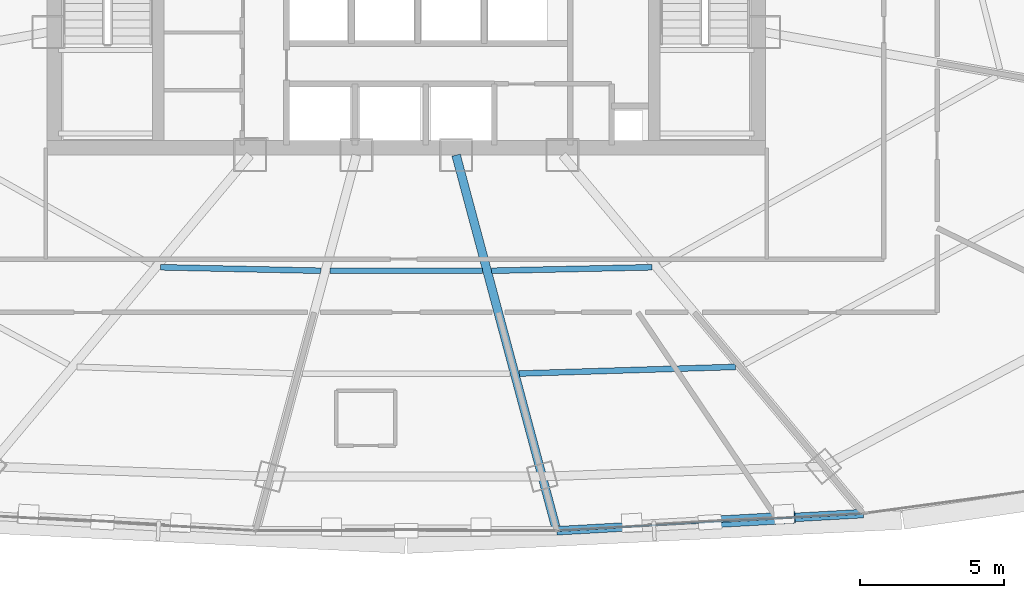
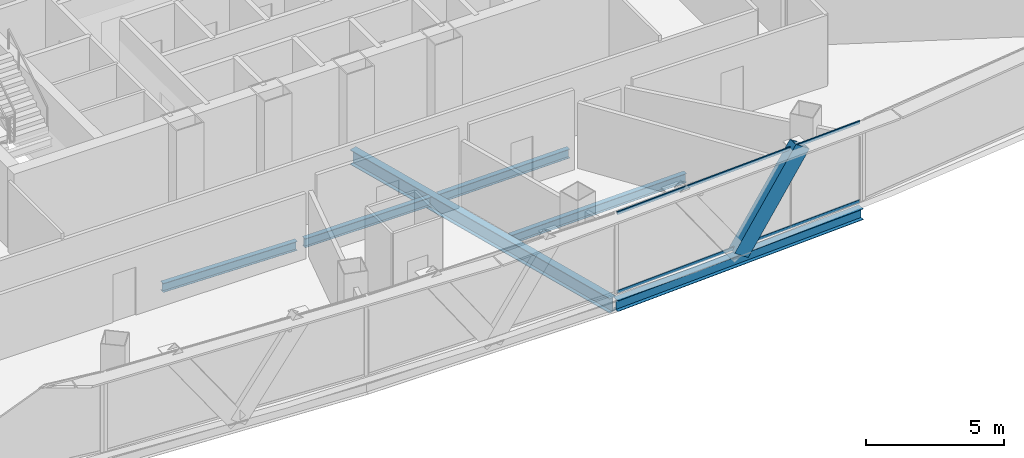
# One storey, part 13 of 37: 6 beams, 3 members, 1 element without a shape of its own.
"""IFC4 building model written with IfcOpenShell, lengths in metres."""

from ifc_helpers import new_model, si_unit, direction, frame, origin, origin_2d, place, context, subcontext, project, spatial, hollow_rectangle, i_section, extrude, source, transform, mapped, material, layer, layer_set, material_profile, profile_set, type_object, element, aggregate, save


model = new_model("IFC4")

# Units and contexts
model_context = context("Model", 3, precision=1e-05, world=origin(), true_north=direction((0.0, 1.0)))
body_context = subcontext(model_context, "Body", "Model", "MODEL_VIEW")
ifc_project = project(units=[si_unit("LENGTHUNIT", "METRE"), si_unit("AREAUNIT", "SQUARE_METRE"), si_unit("VOLUMEUNIT", "CUBIC_METRE"), si_unit("PLANEANGLEUNIT", "RADIAN"), si_unit("MASSUNIT", "GRAM", prefix="KILO"), si_unit("THERMODYNAMICTEMPERATUREUNIT", "KELVIN"), si_unit("POWERUNIT", "WATT")], contexts=[model_context])

# Site, building, storey
site_placement = place(None, origin())
site = spatial("IfcSite", under=ifc_project, at=site_placement, CompositionType="ELEMENT")
building_placement = place(site_placement, origin())
building = spatial("IfcBuilding", under=site, at=building_placement, Name="Yunzhuo Pagoda Commons", CompositionType="ELEMENT")
storey_placement = place(building_placement, frame((0.0, 0.0, 199.9599609375)))
storey = spatial("IfcBuildingStorey", under=building, at=storey_placement, Name="L50", CompositionType="ELEMENT", Elevation=199.9599609375)

# Beams
ifc_material_1 = material(Name="Structural steel Q355B", Category="steel")
ifc_material_profile_1 = material_profile(ifc_material_1, i_section(OverallWidth=0.199951171875, OverallDepth=0.39990234375, WebThickness=0.008056640625, FlangeThickness=0.012939453125, at=origin_2d()), Name="Structural steel Q355B")
ifc_profile_set_1 = profile_set([ifc_material_profile_1], Name="Structural steel Q355B")
beam_type_1 = type_object("IfcBeamType", Name="B-JS1 Joist HN 400x200x8x13", PredefinedType="JOIST", material=ifc_profile_set_1)
shared_shape_1 = source(origin(), body_context, "Body", "SweptSolid", [
    extrude(i_section(OverallWidth=0.199951171875, OverallDepth=0.39990234375, WebThickness=0.008056640625, FlangeThickness=0.012939453125, at=origin_2d()), origin(), (0.0, 0.0, 1.0), 5.550537109375),
])
for number, where, z_axis, x_axis, name in (
    (1, (39.489013671875, 23.3642578125, -0.4599609375), (0.99976582056, -0.021640333643, 0.0), (0.021640333643, 0.99976582056, 0.0), "L50 composite ring joist 1.1"),
    (2, (50.961669921875, 23.244140625, -0.4599609375), (0.99976582056, 0.021640333643, 0.0), (-0.021640333643, 0.99976582056, 0.0), "L50 composite ring joist 1.3"),
):
    element("IfcBeam", number, at=place(storey_placement, frame(where, z_axis=z_axis, x_axis=x_axis)), inside=storey, type_object=beam_type_1, Name=name, PredefinedType="JOIST", context=body_context, shape_type="MappedRepresentation", body=[
        mapped(shared_shape_1, transform((0.0, 0.0, 0.0), scale=1.0)),
    ])
shared_shape_2 = source(origin(), body_context, "Body", "SweptSolid", [
    extrude(i_section(OverallWidth=0.199951171875, OverallDepth=0.39990234375, WebThickness=0.008056640625, FlangeThickness=0.012939453125, at=origin_2d()), origin(), (0.0, 0.0, 1.0), 7.49365234375),
])
beam_1_placement = place(storey_placement, frame((51.91650390625, 19.68115234375, -0.4599609375), z_axis=(0.99952593018, 0.030788226605, 0.0), x_axis=(-0.030788226605, 0.99952593018, 0.0)))
element("IfcBeam", 3, at=beam_1_placement, inside=storey, type_object=beam_type_1, Name="L50 composite ring joist 2.3", PredefinedType="JOIST", context=body_context, shape_type="MappedRepresentation", body=[
    mapped(shared_shape_2, transform((0.0, 0.0, 0.0), scale=1.0)),
])
shared_shape_3 = source(origin(), body_context, "Body", "SweptSolid", [
    extrude(i_section(OverallWidth=0.199951171875, OverallDepth=0.39990234375, WebThickness=0.008056640625, FlangeThickness=0.012939453125, at=origin_2d()), origin(), (0.0, 0.0, 1.0), 5.287109375),
])
beam_2_placement = place(storey_placement, frame((45.3564453125, 23.24072265625, -0.4599609375), z_axis=(1.0, 0.0, 0.0), x_axis=(0.0, 1.0, 0.0)))
element("IfcBeam", 4, at=beam_2_placement, inside=storey, type_object=beam_type_1, Name="L50 composite ring joist 1.2", PredefinedType="JOIST", context=body_context, shape_type="MappedRepresentation", body=[
    mapped(shared_shape_3, transform((0.0, 0.0, 0.0), scale=1.0)),
])
ifc_material_profile_2 = material_profile(ifc_material_1, i_section(OverallWidth=0.300048828125, OverallDepth=0.64990234375, WebThickness=0.012939453125, FlangeThickness=0.02197265625, at=origin_2d()), Name="Structural steel Q355B")
ifc_profile_set_2 = profile_set([ifc_material_profile_2], Name="Structural steel Q355B")
beam_type_2 = type_object("IfcBeamType", Name="B-RG2 Beam HN 650x300x13x22", PredefinedType="BEAM", material=ifc_profile_set_2)
shared_shape_4 = source(origin(), body_context, "Body", "SweptSolid", [
    extrude(i_section(OverallWidth=0.300048828125, OverallDepth=0.64990234375, WebThickness=0.012939453125, FlangeThickness=0.02197265625, at=origin_2d()), origin(), (0.0, 0.0, 1.0), 13.320556640625),
])
beam_3_placement = place(storey_placement, frame((53.17578125, 14.38330078125, -0.5849609375), z_axis=(-0.258794106772, 0.96593250815, 0.0), x_axis=(-0.96593250815, -0.258794106772, 0.0)))
element("IfcBeam", 5, at=beam_3_placement, inside=storey, type_object=beam_type_2, Name="L50 radial floor girder F1C3", PredefinedType="BEAM", context=body_context, shape_type="MappedRepresentation", body=[
    mapped(shared_shape_4, transform((0.0, 0.0, 0.0), scale=1.0)),
])
ifc_material_profile_3 = material_profile(ifc_material_1, i_section(OverallWidth=0.300048828125, OverallDepth=0.488037109375, WebThickness=0.010986328125, FlangeThickness=0.01806640625, at=origin_2d()), Name="Structural steel Q355B")
ifc_profile_set_3 = profile_set([ifc_material_profile_3], Name="Structural steel Q355B")
beam_type_3 = type_object("IfcBeamType", Name="B-SP1 Beam HM 488x300x11x18", PredefinedType="BEAM", material=ifc_profile_set_3)
shared_shape_5 = source(origin(), body_context, "Body", "SweptSolid", [
    extrude(i_section(OverallWidth=0.300048828125, OverallDepth=0.488037109375, WebThickness=0.010986328125, FlangeThickness=0.01806640625, at=origin_2d()), origin(), (0.0, 0.0, 1.0), 10.635009765625),
])
beam_4_placement = place(storey_placement, frame((53.21630859375, 14.233642578125, -0.50390625), z_axis=(0.998431328375, 0.055990021611, 0.0), x_axis=(-0.055990021611, 0.998431328375, 0.0)))
element("IfcBeam", 6, at=beam_4_placement, inside=storey, type_object=beam_type_3, Name="L50 facade edge spandrel beam F1.3", PredefinedType="BEAM", context=body_context, shape_type="MappedRepresentation", body=[
    mapped(shared_shape_5, transform((0.0, 0.0, 0.0), scale=1.0)),
])

# Member
ifc_material_profile_4 = material_profile(ifc_material_1, hollow_rectangle(XDim=0.39990234375, YDim=0.719970703125, WallThickness=0.02392578125, at=origin_2d()), Name="Structural steel Q355B")
ifc_profile_set_4 = profile_set([ifc_material_profile_4], Name="Structural steel Q355B")
member_type_1 = type_object("IfcMemberType", Name="M-DL2 Brace BOX 720x400x24", PredefinedType="BRACE", material=ifc_profile_set_4)
shared_shape_6 = source(origin(), body_context, "Body", "SweptSolid", [
    extrude(hollow_rectangle(XDim=0.39990234375, YDim=0.719970703125, WallThickness=0.02392578125, at=origin_2d()), origin(), (0.0, 0.0, 1.0), 4.6376953125),
])
member_1_placement = place(storey_placement, frame((58.525390625, 14.53125, -0.260009765625), z_axis=(0.572371416093, 0.032111336689, 0.819365500919), x_axis=(-0.056014189589, 0.99842997279, 0.0)))
element("IfcMember", 7, at=member_1_placement, inside=storey, type_object=member_type_1, Name="L50 facade diamond brace F1.3R", PredefinedType="BRACE", context=body_context, shape_type="MappedRepresentation", body=[
    mapped(shared_shape_6, transform((0.0, 0.0, 0.0), scale=1.0)),
])

# Curtain wall, members
ifc_material_2 = material(Name="Anodized aluminium 6063-T6", Category="aluminium")
ifc_layer = layer(ifc_material_2, 0.14990234375)
ifc_layer_set = layer_set([ifc_layer], Name="Anodized aluminium 6063-T6")
curtain_wall_type = type_object("IfcCurtainWallType", Name="CW-MID Mid-Zone Ribbon Curtain Wall", PredefinedType="NOTDEFINED", material=ifc_layer_set)
curtain_wall_placement = place(storey_placement, origin())
curtain_wall = element("IfcCurtainWall", 8, at=curtain_wall_placement, inside=storey, type_object=curtain_wall_type, Name="L50 curtain wall CW-L50-F1B4", PredefinedType="NOTDEFINED")
ifc_material_profile_5 = material_profile(ifc_material_2, hollow_rectangle(XDim=0.054931640625, YDim=0.1298828125, WallThickness=0.00341796875, at=origin_2d()), Name="Anodized aluminium 6063-T6")
ifc_profile_set_5 = profile_set([ifc_material_profile_5], Name="Anodized aluminium 6063-T6")
member_type_2 = type_object("IfcMemberType", Name="CW-MID-T Transom RHS 130x55x3.5", PredefinedType="USERDEFINED", material=ifc_profile_set_5)
shared_shape_7 = source(origin(), body_context, "Body", "SweptSolid", [
    extrude(hollow_rectangle(XDim=0.054931640625, YDim=0.1298828125, WallThickness=0.00341796875, at=origin_2d()), origin(), (0.0, 0.0, 1.0), 10.515380859375),
])
member_2_placement = place(storey_placement, frame((53.27587890625, 14.2373046875, 0.027587890625), z_axis=(0.998433375605, 0.055953502819, 0.0), x_axis=(-0.055953502819, 0.998433375605, 0.0)))
member_2 = element("IfcMember", 9, at=member_2_placement, type_object=member_type_2, Name="CW transom 1.1", ObjectType="TRANSOM", PredefinedType="USERDEFINED", context=body_context, shape_type="MappedRepresentation", body=[
    mapped(shared_shape_7, transform((0.0, 0.0, 0.0), scale=1.0)),
])
member_3_placement = place(storey_placement, frame((53.27587890625, 14.2373046875, 3.512451171875), z_axis=(0.998433375605, 0.055953502819, 0.0), x_axis=(-0.055953502819, 0.998433375605, 0.0)))
member_3 = element("IfcMember", 10, at=member_3_placement, type_object=member_type_2, Name="CW transom 1.2", ObjectType="TRANSOM", PredefinedType="USERDEFINED", context=body_context, shape_type="MappedRepresentation", body=[
    mapped(shared_shape_7, transform((0.0, 0.0, 0.0), scale=1.0)),
])
aggregate(curtain_wall, [member_2, member_3])

save(model, "model.ifc")
